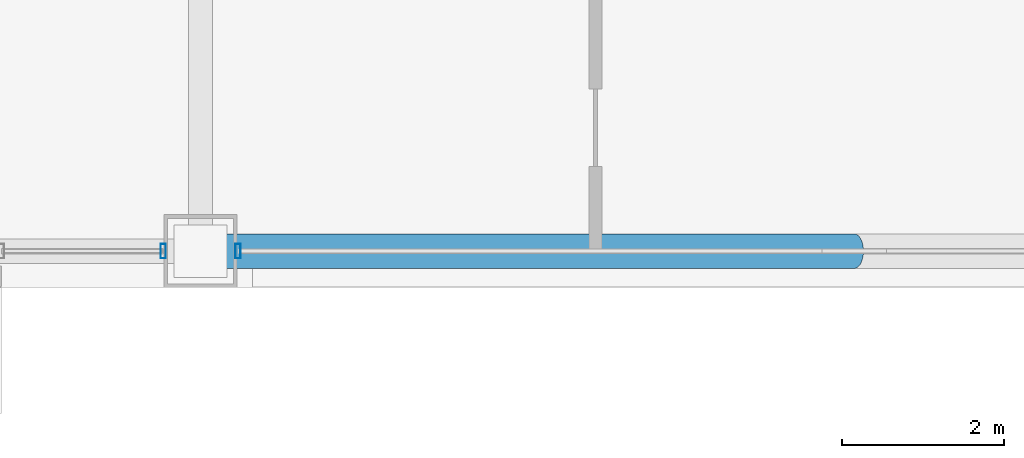
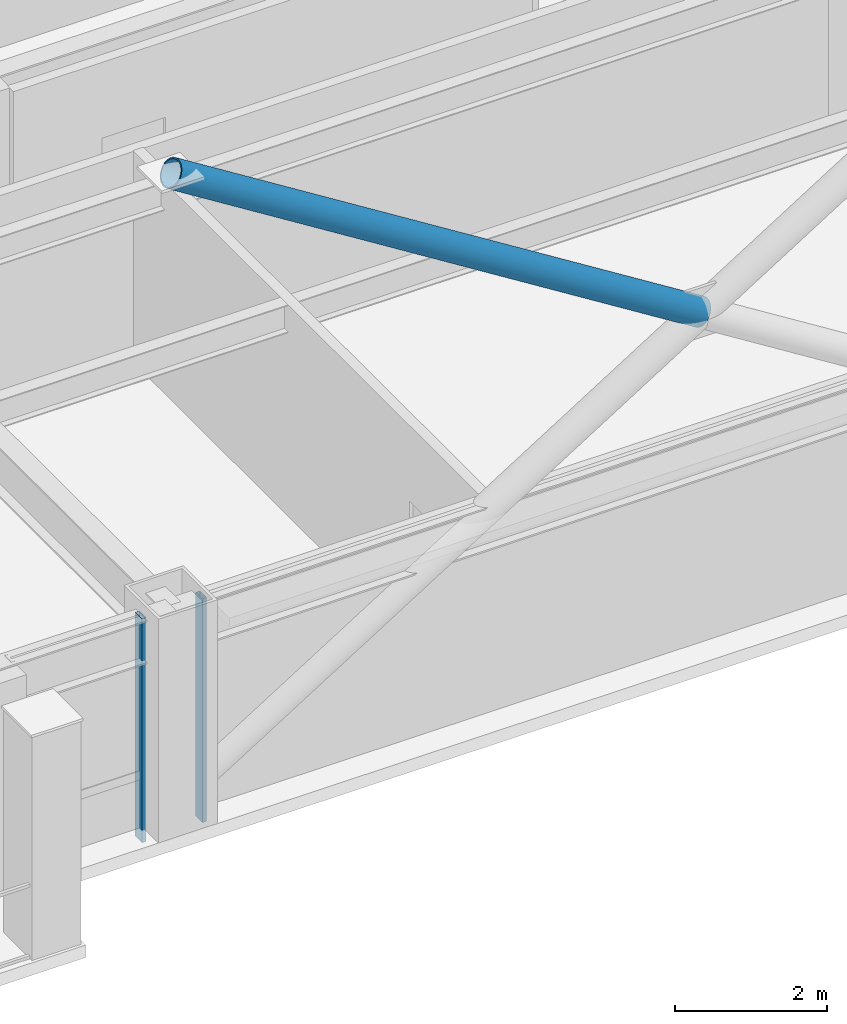
# One storey, part 5 of 29: 3 members, 2 elements without a shape of their own.
"""IFC4 building model written with IfcOpenShell, lengths in metres."""

from ifc_helpers import new_model, si_unit, direction, frame, origin, origin_2d, place, context, subcontext, project, spatial, hollow_rectangle, hollow_circle, extrude, material, layer, layer_set, material_profile, profile_set, type_object, element, aggregate, save


model = new_model("IFC4")

# Units and contexts
model_context = context("Model", 3, precision=1e-05, world=origin(), true_north=direction((0.0, 1.0)))
body_context = subcontext(model_context, "Body", "Model", "MODEL_VIEW")
ifc_project = project(units=[si_unit("LENGTHUNIT", "METRE"), si_unit("AREAUNIT", "SQUARE_METRE"), si_unit("VOLUMEUNIT", "CUBIC_METRE"), si_unit("PLANEANGLEUNIT", "RADIAN"), si_unit("MASSUNIT", "GRAM", prefix="KILO")], contexts=[model_context])

# Site, building, storey
site_placement = place(None, origin())
site = spatial("IfcSite", under=ifc_project, at=site_placement, CompositionType="ELEMENT")
building_placement = place(site_placement, origin())
building = spatial("IfcBuilding", under=site, at=building_placement, Name="Brelmoor Portico Tower", CompositionType="ELEMENT")
storey_placement = place(building_placement, frame((0.0, 0.0, 67.199951171875)))
storey = spatial("IfcBuildingStorey", under=building, at=storey_placement, Name="L17", CompositionType="ELEMENT", Elevation=67.199951171875)

# Member
ifc_material_1 = material(Name="Steel Q355B", Category="steel")
ifc_material_profile_1 = material_profile(ifc_material_1, hollow_circle(Radius=0.212890625, WallThickness=0.02001953125, at=origin_2d()), Name="CHS 426x20")
ifc_profile_set_1 = profile_set([ifc_material_profile_1], Name="Steel Q355B")
member_type_1 = type_object("IfcMemberType", Name="MB-BELT-DIAG1", PredefinedType="BRACE", material=ifc_profile_set_1)
member_1_placement = place(storey_placement, frame((0.0, -21.550048828125, 5.300048828125), z_axis=(-0.847109476093, 0.0, 0.531418418493), x_axis=(0.0, -1.0, 0.0)))
element("IfcMember", 1, at=member_1_placement, inside=storey, type_object=member_type_1, Name="L17 Split Mega-X Brace 034B2", PredefinedType="BRACE", context=body_context, shape_type="SweptSolid", body=[
    extrude(hollow_circle(Radius=0.212890625, WallThickness=0.02001953125, at=origin_2d()), origin(), (0.0, 0.0, 1.0), 9.5029296875),
])

# Curtain wall, member
ifc_material_2 = material(Name="Anodised Aluminium Alloy 6063-T6", Category="aluminium")
ifc_layer_1 = layer(ifc_material_2, 0.179931640625)
ifc_layer_set_1 = layer_set([ifc_layer_1], Name="Anodised Aluminium Alloy 6063-T6")
curtain_wall_type_1 = type_object("IfcCurtainWallType", Name="CW-TOWER-Z1", PredefinedType="NOTDEFINED", material=ifc_layer_set_1)
curtain_wall_1_placement = place(storey_placement, origin())
curtain_wall_1 = element("IfcCurtainWall", 2, at=curtain_wall_1_placement, inside=storey, type_object=curtain_wall_type_1, Name="L17 Curtain Wall CW-L17-1R-1", PredefinedType="NOTDEFINED")
ifc_material_profile_2 = material_profile(ifc_material_2, hollow_rectangle(XDim=0.06494140625, YDim=0.179931640625, WallThickness=0.00390625, at=origin_2d()), Name="ALU MULLION 65x180")
ifc_profile_set_2 = profile_set([ifc_material_profile_2], Name="Anodised Aluminium Alloy 6063-T6")
member_type_2 = type_object("IfcMemberType", Name="MB-CW-MULL-180", PredefinedType="MULLION", material=ifc_profile_set_2)
member_2_placement = place(storey_placement, frame((-8.510009765625, -21.550048828125, -0.199951171875), z_axis=(0.0, 0.0, 1.0), x_axis=(1.0, 0.0, 0.0)))
member_2 = element("IfcMember", 3, at=member_2_placement, type_object=member_type_2, Name="CW-L17-1R-1 Mullion 01", PredefinedType="MULLION", context=body_context, shape_type="SweptSolid", body=[
    extrude(hollow_rectangle(XDim=0.06494140625, YDim=0.179931640625, WallThickness=0.00390625, at=origin_2d()), origin(), (0.0, 0.0, 1.0), 3.60009765625),
])
aggregate(curtain_wall_1, [member_2])

ifc_layer_2 = layer(ifc_material_2, 0.179931640625)
ifc_layer_set_2 = layer_set([ifc_layer_2], Name="Anodised Aluminium Alloy 6063-T6")
curtain_wall_type_2 = type_object("IfcCurtainWallType", Name="CW-TOWER-Z1-XB", PredefinedType="NOTDEFINED", material=ifc_layer_set_2)
curtain_wall_2_placement = place(storey_placement, origin())
curtain_wall_2 = element("IfcCurtainWall", 4, at=curtain_wall_2_placement, inside=storey, type_object=curtain_wall_type_2, Name="L17 Curtain Wall CW-L17-1R-2", PredefinedType="NOTDEFINED")
member_3_placement = place(storey_placement, frame((-7.590087890625, -21.550048828125, -0.199951171875), z_axis=(0.0, 0.0, 1.0), x_axis=(1.0, 0.0, 0.0)))
member_3 = element("IfcMember", 5, at=member_3_placement, type_object=member_type_2, Name="CW-L17-1R-2 Mullion 00", PredefinedType="MULLION", context=body_context, shape_type="SweptSolid", body=[
    extrude(hollow_rectangle(XDim=0.06494140625, YDim=0.179931640625, WallThickness=0.00390625, at=origin_2d()), origin(), (0.0, 0.0, 1.0), 3.60009765625),
])
aggregate(curtain_wall_2, [member_3])

save(model, "model.ifc")
